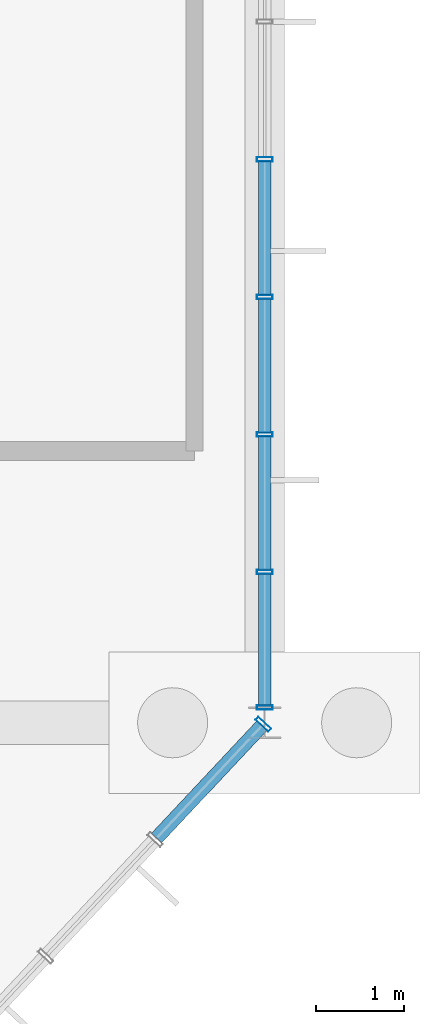
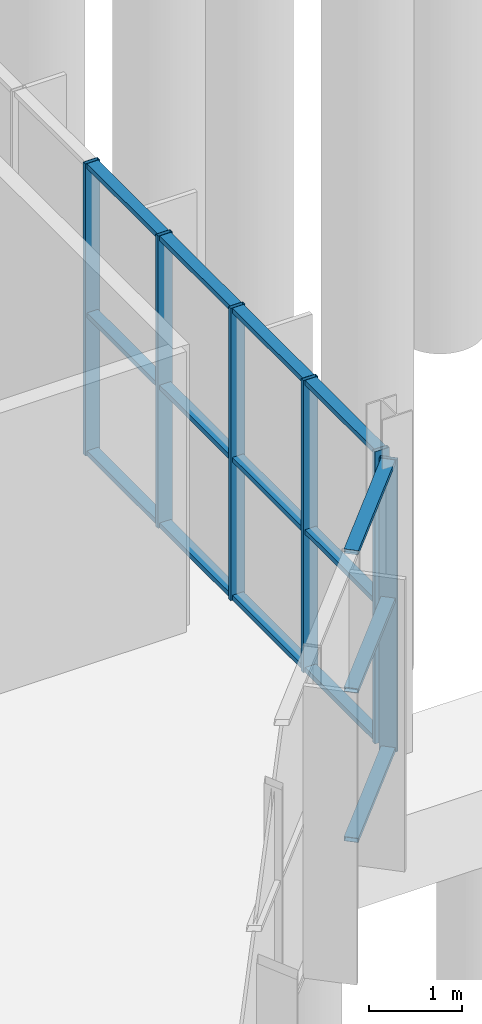
# One storey, part 37 of 136: 21 members, 2 elements without a shape of their own.
"""IFC4 building model written with IfcOpenShell, lengths in metres."""

from ifc_helpers import new_model, si_unit, direction, frame, origin, origin_2d, place, context, subcontext, project, spatial, hollow_rectangle, extrude, material, layer, layer_set, material_profile, profile_set, type_object, element, aggregate, save


model = new_model("IFC4")

# Units and contexts
model_context = context("Model", 3, precision=1e-05, world=origin(), true_north=direction((0.0, 1.0)))
body_context = subcontext(model_context, "Body", "Model", "MODEL_VIEW")
ifc_project = project(units=[si_unit("LENGTHUNIT", "METRE"), si_unit("AREAUNIT", "SQUARE_METRE"), si_unit("VOLUMEUNIT", "CUBIC_METRE"), si_unit("PLANEANGLEUNIT", "RADIAN"), si_unit("MASSUNIT", "GRAM", prefix="KILO")], contexts=[model_context])

# Site, building, storey
site_placement = place(None, origin())
site = spatial("IfcSite", under=ifc_project, at=site_placement, CompositionType="ELEMENT")
building_placement = place(site_placement, origin())
building = spatial("IfcBuilding", under=site, at=building_placement, Name="Solvenia Promenade Tram Depot", CompositionType="ELEMENT")
storey_placement = place(building_placement, origin())
storey = spatial("IfcBuildingStorey", under=building, at=storey_placement, Name="L00", CompositionType="ELEMENT", Elevation=0.0)

# Curtain wall, members
ifc_material = material(Name="Anodized aluminium AW-6063 T6", Category="aluminium")
ifc_layer_1 = layer(ifc_material, 0.14990234375, Name="Anodized aluminium AW-6063 T6", Category="aluminium")
ifc_layer_set_1 = layer_set([ifc_layer_1], Name="Anodized aluminium AW-6063 T6")
curtain_wall_type_1 = type_object("IfcCurtainWallType", Name="CW-Court-1500", PredefinedType="NOTDEFINED", material=ifc_layer_set_1)
curtain_wall_1_placement = place(storey_placement, origin())
curtain_wall_1 = element("IfcCurtainWall", 1, at=curtain_wall_1_placement, inside=storey, type_object=curtain_wall_type_1, Name="Curtain Wall CW-V4E-L00", PredefinedType="NOTDEFINED")
ifc_material_profile_1 = material_profile(ifc_material, hollow_rectangle(XDim=0.179931640625, YDim=0.050048828125, WallThickness=0.00390625, at=origin_2d()), Name="ALU-M2", Category="aluminium")
ifc_profile_set_1 = profile_set([ifc_material_profile_1], Name="Anodized aluminium AW-6063 T6")
member_type_1 = type_object("IfcMemberType", Name="CWM-Mullion-2", PredefinedType="MULLION", material=ifc_profile_set_1)
member_1_placement = place(storey_placement, frame((90.0, 8.175048828125, 0.0), z_axis=(0.0, 0.0, 1.0), x_axis=(-1.0, 0.0, 0.0)))
member_1 = element("IfcMember", 2, at=member_1_placement, type_object=member_type_1, Name="CW-5 mullion 1", PredefinedType="MULLION", context=body_context, shape_type="SweptSolid", body=[
    extrude(hollow_rectangle(XDim=0.179931640625, YDim=0.050048828125, WallThickness=0.00390625, at=origin_2d()), origin(), (0.0, 0.0, 1.0), 3.85009765625),
])
member_2_placement = place(storey_placement, frame((90.0, 9.719970703125, 0.0), z_axis=(0.0, 0.0, 1.0), x_axis=(-1.0, 0.0, 0.0)))
member_2 = element("IfcMember", 3, at=member_2_placement, type_object=member_type_1, Name="CW-5 mullion 2", PredefinedType="MULLION", context=body_context, shape_type="SweptSolid", body=[
    extrude(hollow_rectangle(XDim=0.179931640625, YDim=0.050048828125, WallThickness=0.00390625, at=origin_2d()), origin(), (0.0, 0.0, 1.0), 3.85009765625),
])
member_3_placement = place(storey_placement, frame((90.0, 11.2900390625, 0.0), z_axis=(0.0, 0.0, 1.0), x_axis=(-1.0, 0.0, 0.0)))
member_3 = element("IfcMember", 4, at=member_3_placement, type_object=member_type_1, Name="CW-5 mullion 3", PredefinedType="MULLION", context=body_context, shape_type="SweptSolid", body=[
    extrude(hollow_rectangle(XDim=0.179931640625, YDim=0.050048828125, WallThickness=0.00390625, at=origin_2d()), origin(), (0.0, 0.0, 1.0), 3.85009765625),
])
member_4_placement = place(storey_placement, frame((90.0, 12.860107421875, 0.0), z_axis=(0.0, 0.0, 1.0), x_axis=(-1.0, 0.0, 0.0)))
member_4 = element("IfcMember", 5, at=member_4_placement, type_object=member_type_1, Name="CW-5 mullion 4", PredefinedType="MULLION", context=body_context, shape_type="SweptSolid", body=[
    extrude(hollow_rectangle(XDim=0.179931640625, YDim=0.050048828125, WallThickness=0.00390625, at=origin_2d()), origin(), (0.0, 0.0, 1.0), 3.85009765625),
])
member_5_placement = place(storey_placement, frame((90.0, 14.429931640625, 0.0), z_axis=(0.0, 0.0, 1.0), x_axis=(-1.0, 0.0, 0.0)))
member_5 = element("IfcMember", 6, at=member_5_placement, type_object=member_type_1, Name="CW-5 mullion 5", PredefinedType="MULLION", context=body_context, shape_type="SweptSolid", body=[
    extrude(hollow_rectangle(XDim=0.179931640625, YDim=0.050048828125, WallThickness=0.00390625, at=origin_2d()), origin(), (0.0, 0.0, 1.0), 3.85009765625),
])

# Curtain wall, member
ifc_layer_2 = layer(ifc_material, 0.179931640625, Name="Anodized aluminium AW-6063 T6", Category="aluminium")
ifc_layer_set_2 = layer_set([ifc_layer_2], Name="Anodized aluminium AW-6063 T6")
curtain_wall_type_2 = type_object("IfcCurtainWallType", Name="CW-Prom-1800", PredefinedType="NOTDEFINED", material=ifc_layer_set_2)
curtain_wall_2_placement = place(storey_placement, origin())
curtain_wall_2 = element("IfcCurtainWall", 7, at=curtain_wall_2_placement, inside=storey, type_object=curtain_wall_type_2, Name="L00 East Forecourt Faceted Prow Curtain Wall", PredefinedType="NOTDEFINED")
ifc_material_profile_2 = material_profile(ifc_material, hollow_rectangle(XDim=0.199951171875, YDim=0.048095703125, WallThickness=0.00390625, at=origin_2d()), Name="ALU-M3", Category="aluminium")
ifc_profile_set_2 = profile_set([ifc_material_profile_2], Name="Anodized aluminium AW-6063 T6")
member_type_2 = type_object("IfcMemberType", Name="CWM-Mullion-3", PredefinedType="MULLION", material=ifc_profile_set_2)
member_6_placement = place(storey_placement, frame((89.983642578125, 7.982421875, 0.0), z_axis=(0.0, 0.0, 1.0), x_axis=(-0.72953720414, 0.683941128881, 0.0)))
member_6 = element("IfcMember", 8, at=member_6_placement, type_object=member_type_2, Name="CW-9 mullion 7", PredefinedType="MULLION", context=body_context, shape_type="SweptSolid", body=[
    extrude(hollow_rectangle(XDim=0.199951171875, YDim=0.048095703125, WallThickness=0.00390625, at=origin_2d()), origin(), (0.0, 0.0, 1.0), 3.85009765625),
])

# Member
ifc_material_profile_3 = material_profile(ifc_material, hollow_rectangle(XDim=0.139892578125, YDim=0.06494140625, WallThickness=0.00390625, at=origin_2d()), Name="ALU-T2", Category="aluminium")
ifc_profile_set_3 = profile_set([ifc_material_profile_3], Name="Anodized aluminium AW-6063 T6")
member_type_3 = type_object("IfcMemberType", Name="CWT-Transom-2", PredefinedType="USERDEFINED", material=ifc_profile_set_3)
member_7_placement = place(storey_placement, frame((90.0, 8.199951171875, 0.032470703125), z_axis=(0.0, 1.0, 0.0), x_axis=(-1.0, 0.0, 0.0)))
member_7 = element("IfcMember", 9, at=member_7_placement, type_object=member_type_3, Name="CW-5 transom 1.1", ObjectType="TRANSOM", PredefinedType="USERDEFINED", context=body_context, shape_type="SweptSolid", body=[
    extrude(hollow_rectangle(XDim=0.139892578125, YDim=0.06494140625, WallThickness=0.00390625, at=origin_2d()), origin(), (0.0, 0.0, 1.0), 1.4951171875),
])

member_8_placement = place(storey_placement, frame((90.0, 8.199951171875, 1.85009765625), z_axis=(0.0, 1.0, 0.0), x_axis=(-1.0, 0.0, 0.0)))
member_8 = element("IfcMember", 10, at=member_8_placement, type_object=member_type_3, Name="CW-5 transom 1.2", ObjectType="TRANSOM", PredefinedType="USERDEFINED", context=body_context, shape_type="SweptSolid", body=[
    extrude(hollow_rectangle(XDim=0.139892578125, YDim=0.06494140625, WallThickness=0.00390625, at=origin_2d()), origin(), (0.0, 0.0, 1.0), 1.4951171875),
])

member_9_placement = place(storey_placement, frame((90.0, 8.199951171875, 3.8173828125), z_axis=(0.0, 1.0, 0.0), x_axis=(-1.0, 0.0, 0.0)))
member_9 = element("IfcMember", 11, at=member_9_placement, type_object=member_type_3, Name="CW-5 transom 1.3", ObjectType="TRANSOM", PredefinedType="USERDEFINED", context=body_context, shape_type="SweptSolid", body=[
    extrude(hollow_rectangle(XDim=0.139892578125, YDim=0.06494140625, WallThickness=0.00390625, at=origin_2d()), origin(), (0.0, 0.0, 1.0), 1.4951171875),
])

member_10_placement = place(storey_placement, frame((90.0, 9.7451171875, 0.032470703125), z_axis=(0.0, 1.0, 0.0), x_axis=(-1.0, 0.0, 0.0)))
member_10 = element("IfcMember", 12, at=member_10_placement, type_object=member_type_3, Name="CW-5 transom 2.1", ObjectType="TRANSOM", PredefinedType="USERDEFINED", context=body_context, shape_type="SweptSolid", body=[
    extrude(hollow_rectangle(XDim=0.139892578125, YDim=0.06494140625, WallThickness=0.00390625, at=origin_2d()), origin(), (0.0, 0.0, 1.0), 1.519775390625),
])

member_11_placement = place(storey_placement, frame((90.0, 9.7451171875, 1.85009765625), z_axis=(0.0, 1.0, 0.0), x_axis=(-1.0, 0.0, 0.0)))
member_11 = element("IfcMember", 13, at=member_11_placement, type_object=member_type_3, Name="CW-5 transom 2.2", ObjectType="TRANSOM", PredefinedType="USERDEFINED", context=body_context, shape_type="SweptSolid", body=[
    extrude(hollow_rectangle(XDim=0.139892578125, YDim=0.06494140625, WallThickness=0.00390625, at=origin_2d()), origin(), (0.0, 0.0, 1.0), 1.519775390625),
])

member_12_placement = place(storey_placement, frame((90.0, 9.7451171875, 3.8173828125), z_axis=(0.0, 1.0, 0.0), x_axis=(-1.0, 0.0, 0.0)))
member_12 = element("IfcMember", 14, at=member_12_placement, type_object=member_type_3, Name="CW-5 transom 2.3", ObjectType="TRANSOM", PredefinedType="USERDEFINED", context=body_context, shape_type="SweptSolid", body=[
    extrude(hollow_rectangle(XDim=0.139892578125, YDim=0.06494140625, WallThickness=0.00390625, at=origin_2d()), origin(), (0.0, 0.0, 1.0), 1.519775390625),
])

member_13_placement = place(storey_placement, frame((90.0, 11.31494140625, 0.032470703125), z_axis=(0.0, 1.0, 0.0), x_axis=(-1.0, 0.0, 0.0)))
member_13 = element("IfcMember", 15, at=member_13_placement, type_object=member_type_3, Name="CW-5 transom 3.1", ObjectType="TRANSOM", PredefinedType="USERDEFINED", context=body_context, shape_type="SweptSolid", body=[
    extrude(hollow_rectangle(XDim=0.139892578125, YDim=0.06494140625, WallThickness=0.00390625, at=origin_2d()), origin(), (0.0, 0.0, 1.0), 1.52001953125),
])

member_14_placement = place(storey_placement, frame((90.0, 11.31494140625, 1.85009765625), z_axis=(0.0, 1.0, 0.0), x_axis=(-1.0, 0.0, 0.0)))
member_14 = element("IfcMember", 16, at=member_14_placement, type_object=member_type_3, Name="CW-5 transom 3.2", ObjectType="TRANSOM", PredefinedType="USERDEFINED", context=body_context, shape_type="SweptSolid", body=[
    extrude(hollow_rectangle(XDim=0.139892578125, YDim=0.06494140625, WallThickness=0.00390625, at=origin_2d()), origin(), (0.0, 0.0, 1.0), 1.52001953125),
])

member_15_placement = place(storey_placement, frame((90.0, 11.31494140625, 3.8173828125), z_axis=(0.0, 1.0, 0.0), x_axis=(-1.0, 0.0, 0.0)))
member_15 = element("IfcMember", 17, at=member_15_placement, type_object=member_type_3, Name="CW-5 transom 3.3", ObjectType="TRANSOM", PredefinedType="USERDEFINED", context=body_context, shape_type="SweptSolid", body=[
    extrude(hollow_rectangle(XDim=0.139892578125, YDim=0.06494140625, WallThickness=0.00390625, at=origin_2d()), origin(), (0.0, 0.0, 1.0), 1.52001953125),
])

member_16_placement = place(storey_placement, frame((90.0, 12.885009765625, 0.032470703125), z_axis=(0.0, 1.0, 0.0), x_axis=(-1.0, 0.0, 0.0)))
member_16 = element("IfcMember", 18, at=member_16_placement, type_object=member_type_3, Name="CW-5 transom 4.1", ObjectType="TRANSOM", PredefinedType="USERDEFINED", context=body_context, shape_type="SweptSolid", body=[
    extrude(hollow_rectangle(XDim=0.139892578125, YDim=0.06494140625, WallThickness=0.00390625, at=origin_2d()), origin(), (0.0, 0.0, 1.0), 1.52001953125),
])

member_17_placement = place(storey_placement, frame((90.0, 12.885009765625, 1.85009765625), z_axis=(0.0, 1.0, 0.0), x_axis=(-1.0, 0.0, 0.0)))
member_17 = element("IfcMember", 19, at=member_17_placement, type_object=member_type_3, Name="CW-5 transom 4.2", ObjectType="TRANSOM", PredefinedType="USERDEFINED", context=body_context, shape_type="SweptSolid", body=[
    extrude(hollow_rectangle(XDim=0.139892578125, YDim=0.06494140625, WallThickness=0.00390625, at=origin_2d()), origin(), (0.0, 0.0, 1.0), 1.52001953125),
])

member_18_placement = place(storey_placement, frame((90.0, 12.885009765625, 3.8173828125), z_axis=(0.0, 1.0, 0.0), x_axis=(-1.0, 0.0, 0.0)))
member_18 = element("IfcMember", 20, at=member_18_placement, type_object=member_type_3, Name="CW-5 transom 4.3", ObjectType="TRANSOM", PredefinedType="USERDEFINED", context=body_context, shape_type="SweptSolid", body=[
    extrude(hollow_rectangle(XDim=0.139892578125, YDim=0.06494140625, WallThickness=0.00390625, at=origin_2d()), origin(), (0.0, 0.0, 1.0), 1.52001953125),
])

aggregate(curtain_wall_1, [member_1, member_2, member_3, member_4, member_5, member_7, member_8, member_9, member_10, member_11, member_12, member_13, member_14, member_15, member_16, member_17, member_18])

ifc_material_profile_4 = material_profile(ifc_material, hollow_rectangle(XDim=0.159912109375, YDim=0.05810546875, WallThickness=0.00390625, at=origin_2d()), Name="ALU-T3", Category="aluminium")
ifc_profile_set_4 = profile_set([ifc_material_profile_4], Name="Anodized aluminium AW-6063 T6")
member_type_4 = type_object("IfcMemberType", Name="CWT-Transom-3", PredefinedType="USERDEFINED", material=ifc_profile_set_4)
member_19_placement = place(storey_placement, frame((88.766357421875, 6.68408203125, 0.029052734375), z_axis=(0.683936503845, 0.729541540084, 0.0), x_axis=(-0.729541540084, 0.683936503845, 0.0)))
member_19 = element("IfcMember", 21, at=member_19_placement, type_object=member_type_4, Name="CW-9 transom 6.1", ObjectType="TRANSOM", PredefinedType="USERDEFINED", context=body_context, shape_type="SweptSolid", body=[
    extrude(hollow_rectangle(XDim=0.159912109375, YDim=0.05810546875, WallThickness=0.00390625, at=origin_2d()), origin(), (0.0, 0.0, 1.0), 1.755859375),
])

member_20_placement = place(storey_placement, frame((88.766357421875, 6.68408203125, 2.0), z_axis=(0.683936503845, 0.729541540084, 0.0), x_axis=(-0.729541540084, 0.683936503845, 0.0)))
member_20 = element("IfcMember", 22, at=member_20_placement, type_object=member_type_4, Name="CW-9 transom 6.2", ObjectType="TRANSOM", PredefinedType="USERDEFINED", context=body_context, shape_type="SweptSolid", body=[
    extrude(hollow_rectangle(XDim=0.159912109375, YDim=0.05810546875, WallThickness=0.00390625, at=origin_2d()), origin(), (0.0, 0.0, 1.0), 1.755859375),
])

member_21_placement = place(storey_placement, frame((88.766357421875, 6.68408203125, 3.821044921875), z_axis=(0.683936503845, 0.729541540084, 0.0), x_axis=(-0.729541540084, 0.683936503845, 0.0)))
member_21 = element("IfcMember", 23, at=member_21_placement, type_object=member_type_4, Name="CW-9 transom 6.3", ObjectType="TRANSOM", PredefinedType="USERDEFINED", context=body_context, shape_type="SweptSolid", body=[
    extrude(hollow_rectangle(XDim=0.159912109375, YDim=0.05810546875, WallThickness=0.00390625, at=origin_2d()), origin(), (0.0, 0.0, 1.0), 1.755859375),
])

aggregate(curtain_wall_2, [member_6, member_19, member_20, member_21])

save(model, "model.ifc")
